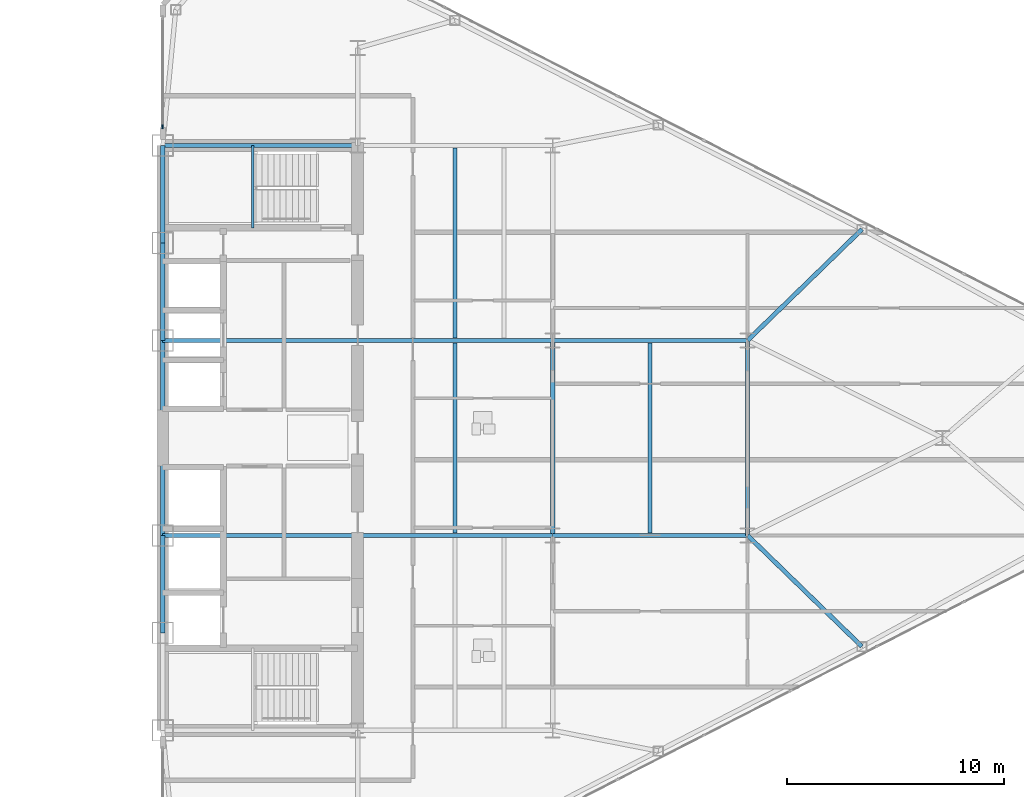
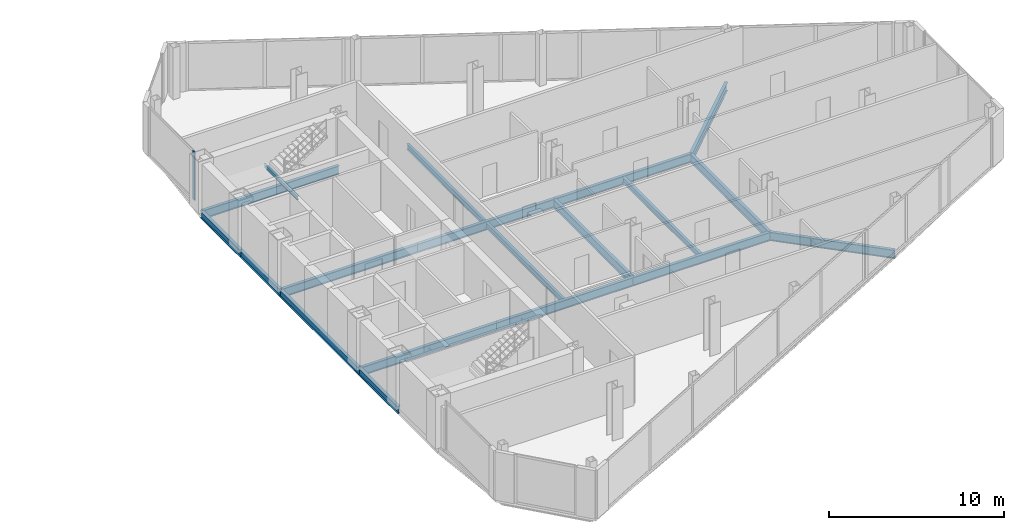
# One storey, part 10 of 24: 19 beams, 1 member, 1 element without a shape of its own.
"""IFC4 building model written with IfcOpenShell, lengths in metres."""

import ifcopenshell
import ifcopenshell.guid

model = None  # the IFC model being written
_history = None  # IfcOwnerHistory: only IFC2X3 demands one
_inside = {}  # id of a spatial element -> (the spatial element, [elements in it])
_under = {}  # id of a project, library or spatial element -> (it, [spatial elements below it])
_declared = {}  # id of a project -> (the project, [libraries it declares])
_typed = {}  # id of a type object -> (the type object, [elements of that type])
_made_of = {}  # id of a material, layer set ... -> (it, [elements and type objects made of it])


def new_model(schema):
    """Start an empty IFC model of exactly this schema.

    Asked for "IFC4X3", IfcOpenShell would pick the latest addendum, in which some entities
    have other attributes; the version numbers below select the first issue.
    IFC2X3 requires an IfcOwnerHistory on every rooted entity: one is made here for all.
    """
    global model, _history
    if schema == "IFC4X3":
        model = ifcopenshell.file(schema_version=(4, 3, 0, 0))
    else:
        model = ifcopenshell.file(schema=schema)
    _inside.clear()
    _under.clear()
    _declared.clear()
    _typed.clear()
    _made_of.clear()
    _history = None
    if model.schema == "IFC2X3":
        org = make("IfcOrganization", Name="unknown")
        user = make(
            "IfcPersonAndOrganization",
            ThePerson=make("IfcPerson", FamilyName="unknown"),
            TheOrganization=org,
        )
        app = make(
            "IfcApplication",
            ApplicationDeveloper=org,
            Version="unknown",
            ApplicationFullName="unknown",
            ApplicationIdentifier="unknown",
        )
        _history = make(
            "IfcOwnerHistory",
            OwningUser=user,
            OwningApplication=app,
            ChangeAction="ADDED",
            CreationDate=0,
        )
    return model


def make(cls, **values):
    """One entity of the class cls with the attributes given. An attribute that is None is left unset."""
    return model.create_entity(
        cls, **{name: value for name, value in values.items() if value is not None}
    )


def rooted(cls, **values):
    """An entity with a GlobalId (a new one), such as an element, a storey or a relation."""
    return make(cls, GlobalId=ifcopenshell.guid.new(), OwnerHistory=_history, **values)


def si_unit(unit_type, name, prefix=None):
    """IfcSIUnit, for example si_unit("LENGTHUNIT", "METRE", prefix="MILLI")."""
    return make("IfcSIUnit", UnitType=unit_type, Prefix=prefix, Name=name)


def assignment(units):
    """IfcUnitAssignment: the units of a project."""
    return None if units is None else make("IfcUnitAssignment", Units=units)


def point(xyz):
    """IfcCartesianPoint."""
    return None if xyz is None else make("IfcCartesianPoint", Coordinates=xyz)


def direction(xyz):
    """IfcDirection."""
    return None if xyz is None else make("IfcDirection", DirectionRatios=xyz)


def frame(location, z_axis=None, x_axis=None):
    """IfcAxis2Placement3D, a coordinate frame: its origin and axes. An axis left out is left unset."""
    return make(
        "IfcAxis2Placement3D",
        Location=point(location),
        Axis=direction(z_axis),
        RefDirection=direction(x_axis),
    )


def frame_2d(location, x_axis=None):
    """IfcAxis2Placement2D, a coordinate frame in the plane: its origin and x axis."""
    return make(
        "IfcAxis2Placement2D", Location=point(location), RefDirection=direction(x_axis)
    )


def origin():
    """The frame at (0, 0, 0) with its axes left unset."""
    return frame((0.0, 0.0, 0.0))


def origin_2d():
    """The frame at (0, 0) in the plane with its x axis left unset."""
    return frame_2d((0.0, 0.0))


def place(relative_to, where):
    """IfcLocalPlacement: puts the frame where relative to a parent placement (None: the world)."""
    return make(
        "IfcLocalPlacement", PlacementRelTo=relative_to, RelativePlacement=where
    )


def context(
    kind, dimensions, precision=None, world=None, true_north=None, identifier=None
):
    """IfcGeometricRepresentationContext, for example the 3D "Model" context."""
    return make(
        "IfcGeometricRepresentationContext",
        ContextIdentifier=identifier,
        ContextType=kind,
        CoordinateSpaceDimension=dimensions,
        Precision=precision,
        WorldCoordinateSystem=world,
        TrueNorth=true_north,
    )


def subcontext(parent, identifier, kind, view, scale=None):
    """IfcGeometricRepresentationSubContext, for example "Body" below "Model"."""
    return make(
        "IfcGeometricRepresentationSubContext",
        ContextIdentifier=identifier,
        ContextType=kind,
        ParentContext=parent,
        TargetScale=scale,
        TargetView=view,
    )


def project(units=None, contexts=None):
    """IfcProject with its units and contexts."""
    return rooted(
        "IfcProject",
        Name="project",
        RepresentationContexts=contexts,
        UnitsInContext=assignment(units),
    )


def spatial(cls, under=None, at=None, **own):
    """A site, building, storey or space (cls), placed at a placement, below another one or the project."""
    s = rooted(cls, ObjectPlacement=at, **own)
    if under is not None:
        _under.setdefault(under.id(), (under, []))[1].append(s)
    return s


def profile(cls, at=None, kind="AREA", **sizes):
    """A parametric profile (cls). Its sizes go by their IFC names, for example OverallWidth=200.0."""
    return make(cls, ProfileType=kind, Position=at, **sizes)


def rectangle(**sizes):
    """IfcRectangleProfileDef."""
    return profile("IfcRectangleProfileDef", **sizes)


def i_section(**sizes):
    """IfcIShapeProfileDef."""
    return profile("IfcIShapeProfileDef", **sizes)


def extrude(swept, where, along, depth):
    """IfcExtrudedAreaSolid: the profile swept, set in the frame where, extruded along a direction by depth."""
    return make(
        "IfcExtrudedAreaSolid",
        SweptArea=swept,
        Position=where,
        ExtrudedDirection=direction(along),
        Depth=depth,
    )


def shape(context_of_items, identifier, shape_type, items):
    """IfcShapeRepresentation: the items that make up one representation, for example the "Body"."""
    return make(
        "IfcShapeRepresentation",
        ContextOfItems=context_of_items,
        RepresentationIdentifier=identifier,
        RepresentationType=shape_type,
        Items=items,
    )


def source(mapping_origin, context_of_items, identifier, shape_type, items):
    """IfcRepresentationMap: a shape defined once, which mapped items show again and again."""
    return make(
        "IfcRepresentationMap",
        MappingOrigin=mapping_origin,
        MappedRepresentation=shape(context_of_items, identifier, shape_type, items),
    )


def transform(
    local_origin,
    x_axis=None,
    y_axis=None,
    z_axis=None,
    scale=None,
    scale2=None,
    scale3=None,
    uniform=True,
):
    """IfcCartesianTransformationOperator3D, or its non-uniform kind. x_axis, y_axis, z_axis: its Axis1, 2, 3."""
    if uniform:
        return make(
            "IfcCartesianTransformationOperator3D",
            Axis1=direction(x_axis),
            Axis2=direction(y_axis),
            LocalOrigin=point(local_origin),
            Scale=scale,
            Axis3=direction(z_axis),
        )
    return make(
        "IfcCartesianTransformationOperator3DnonUniform",
        Axis1=direction(x_axis),
        Axis2=direction(y_axis),
        LocalOrigin=point(local_origin),
        Scale=scale,
        Axis3=direction(z_axis),
        Scale2=scale2,
        Scale3=scale3,
    )


def mapped(mapping_source, mapping_target):
    """IfcMappedItem: shows the shape of a source again, moved by a transform."""
    return make(
        "IfcMappedItem", MappingSource=mapping_source, MappingTarget=mapping_target
    )


def material(Name=None, Category=None):
    """IfcMaterial."""
    return make("IfcMaterial", Name=Name, Category=Category)


def layer(
    of_material, thickness, ventilated=None, Name=None, Category=None, Priority=None
):
    """IfcMaterialLayer: one layer of a wall or slab, of a material (None: an air gap)."""
    return make(
        "IfcMaterialLayer",
        Material=of_material,
        LayerThickness=thickness,
        IsVentilated=ventilated,
        Name=Name,
        Category=Category,
        Priority=Priority,
    )


def layer_set(layers, Name=None):
    """IfcMaterialLayerSet."""
    return make("IfcMaterialLayerSet", MaterialLayers=layers, LayerSetName=Name)


def material_profile(
    of_material, cross_section, Name=None, Category=None, Priority=None
):
    """IfcMaterialProfile: a cross section and its material."""
    return make(
        "IfcMaterialProfile",
        Name=Name,
        Material=of_material,
        Profile=cross_section,
        Priority=Priority,
        Category=Category,
    )


def profile_set(profiles, Name=None, composite=None):
    """IfcMaterialProfileSet."""
    return make(
        "IfcMaterialProfileSet",
        Name=Name,
        MaterialProfiles=profiles,
        CompositeProfile=composite,
    )


def made_of(thing, what):
    """Note that an element or type object is made of a material, layer set ...; save() writes the relation."""
    if what is not None:
        _made_of.setdefault(what.id(), (what, []))[1].append(thing)
    return thing


def type_object(cls, material=None, **own):
    """A type object (cls), such as IfcWallType, which elements share."""
    return made_of(rooted(cls, **own), material)


def type_shapes(of_type, sources):
    """Give a type object the sources (RepresentationMaps) that its elements show as mapped items."""
    of_type.RepresentationMaps = sources


def element(
    cls,
    number,
    at=None,
    inside=None,
    cuts=None,
    type_object=None,
    material=None,
    context=None,
    identifier="Body",
    shape_type=None,
    held_by="IfcProductDefinitionShape",
    body=None,
    shapes=None,
    **own,
):
    """One element of the class cls, such as IfcWall. Its Tag is "e" and its number.

    at: its placement. inside: the storey or other place that contains it. cuts: it is an
    opening in that element (IfcRelVoidsElement). A single representation is given by context,
    identifier, shape_type and body (its items); several are given by shapes. held_by: the class
    of the entity that holds the representations. save() writes the other relations.
    """
    e = rooted(cls, Tag="e%d" % number, ObjectPlacement=at, **own)
    if body is not None:
        shapes = [shape(context, identifier, shape_type, body)]
    if shapes is not None:
        e.Representation = make(held_by, Representations=shapes)
    if inside is not None:
        _inside.setdefault(inside.id(), (inside, []))[1].append(e)
    if cuts is not None:
        rooted(
            "IfcRelVoidsElement", RelatingBuildingElement=cuts, RelatedOpeningElement=e
        )
    if type_object is not None:
        _typed.setdefault(type_object.id(), (type_object, []))[1].append(e)
    return made_of(e, material)


def aggregate(whole, parts):
    """IfcRelAggregates: a whole, such as a stair, and the parts it consists of."""
    return rooted("IfcRelAggregates", RelatingObject=whole, RelatedObjects=parts)


def save(model, path):
    """Write the relations noted so far, then the file.

    IfcRelAggregates (storeys below a building ...), IfcRelContainedInSpatialStructure (elements
    in a storey), IfcRelDefinesByType, IfcRelAssociatesMaterial and IfcRelDeclares: one each for
    every whole, place, type object, material and project.
    """
    for whole, parts in _under.values():
        aggregate(whole, parts)
    for where, things in _inside.values():
        rooted(
            "IfcRelContainedInSpatialStructure",
            RelatedElements=things,
            RelatingStructure=where,
        )
    for kind, things in _typed.values():
        rooted("IfcRelDefinesByType", RelatedObjects=things, RelatingType=kind)
    for what, things in _made_of.values():
        rooted("IfcRelAssociatesMaterial", RelatedObjects=things, RelatingMaterial=what)
    for by, libraries in _declared.values():
        rooted("IfcRelDeclares", RelatingContext=by, RelatedDefinitions=libraries)
    model.write(path)


model = new_model("IFC4")

# Units and contexts
model_context = context("Model", 3, precision=1e-05, world=origin(), true_north=direction((0.0, 1.0)))
body_context = subcontext(model_context, "Body", "Model", "MODEL_VIEW")
ifc_project = project(units=[si_unit("LENGTHUNIT", "METRE"), si_unit("AREAUNIT", "SQUARE_METRE"), si_unit("VOLUMEUNIT", "CUBIC_METRE"), si_unit("PLANEANGLEUNIT", "RADIAN"), si_unit("MASSUNIT", "GRAM", prefix="KILO")], contexts=[model_context])

# Site, building, storey
site_placement = place(None, origin())
site = spatial("IfcSite", under=ifc_project, at=site_placement, CompositionType="ELEMENT")
building_placement = place(site_placement, origin())
building = spatial("IfcBuilding", under=site, at=building_placement, Name="Seokmaru Belvedere", CompositionType="ELEMENT")
storey_placement = place(building_placement, frame((0.0, 0.0, 140.39990234375)))
storey = spatial("IfcBuildingStorey", under=building, at=storey_placement, Name="L37", CompositionType="ELEMENT", Elevation=140.39990234375)

# Beams
ifc_material_1 = material(Name="Steel SM355 (355 MPa)", Category="steel")
ifc_material_profile_1 = material_profile(ifc_material_1, i_section(OverallWidth=0.199951171875, OverallDepth=0.5, WebThickness=0.010009765625, FlangeThickness=0.01611328125, at=origin_2d()), Name="H-500x200x10x16")
ifc_profile_set_1 = profile_set([ifc_material_profile_1], Name="Steel SM355 (355 MPa)")
beam_type_1 = type_object("IfcBeamType", Name="Perimeter Spandrel Beam H-500", PredefinedType="SPANDREL", material=ifc_profile_set_1)
shared_shape_1 = source(origin(), body_context, "Body", "SweptSolid", [
    extrude(i_section(OverallWidth=0.199951171875, OverallDepth=0.5, WebThickness=0.010009765625, FlangeThickness=0.01611328125, at=origin_2d()), origin(), (0.0, 0.0, 1.0), 4.5),
])
for number, where, z_axis, x_axis, name in (
    (1, (27.5, -9.0, -0.469970703125), (0.0, 1.0, 0.0), (-1.0, 0.0, 0.0), "L37 E Portal Spine Spandrel 2"),
    (2, (27.5, 4.5, -0.469970703125), (0.0, 1.0, 0.0), (-1.0, 0.0, 0.0), "L37 E Portal Spine Spandrel 4"),
    (3, (27.5, 9.0, -0.469970703125), (0.0, 1.0, 0.0), (-1.0, 0.0, 0.0), "L37 E Portal Spine Spandrel 5"),
):
    element("IfcBeam", number, at=place(storey_placement, frame(where, z_axis=z_axis, x_axis=x_axis)), inside=storey, type_object=beam_type_1, Name=name, PredefinedType="SPANDREL", context=body_context, shape_type="MappedRepresentation", body=[
        mapped(shared_shape_1, transform((0.0, 0.0, 0.0), scale=1.0)),
    ])
shared_shape_2 = source(origin(), body_context, "Body", "SweptSolid", [
    extrude(i_section(OverallWidth=0.199951171875, OverallDepth=0.5, WebThickness=0.010009765625, FlangeThickness=0.01611328125, at=origin_2d()), origin(), (0.0, 0.0, 1.0), 9.0),
])
type_shapes(beam_type_1, [shared_shape_1, shared_shape_2])
beam_1_placement = place(storey_placement, frame((27.5, -4.5, -0.469970703125), z_axis=(0.0, 1.0, 0.0), x_axis=(-1.0, 0.0, 0.0)))
element("IfcBeam", 4, at=beam_1_placement, inside=storey, type_object=beam_type_1, Name="L37 E Portal Spine Spandrel 3", PredefinedType="SPANDREL", context=body_context, shape_type="MappedRepresentation", body=[
    mapped(shared_shape_2, transform((0.0, 0.0, 0.0), scale=1.0)),
])
ifc_material_profile_2 = material_profile(ifc_material_1, i_section(OverallWidth=0.199951171875, OverallDepth=0.60009765625, WebThickness=0.010986328125, FlangeThickness=0.01708984375, at=origin_2d()), Name="H-600x200x11x17")
ifc_profile_set_2 = profile_set([ifc_material_profile_2], Name="Steel SM355 (355 MPa)")
beam_type_2 = type_object("IfcBeamType", Name="Primary Floor Girder H-600", PredefinedType="BEAM", material=ifc_profile_set_2)
shared_shape_3 = source(origin(), body_context, "Body", "SweptSolid", [
    extrude(i_section(OverallWidth=0.199951171875, OverallDepth=0.60009765625, WebThickness=0.010986328125, FlangeThickness=0.01708984375, at=origin_2d()), origin(), (0.0, 0.0, 1.0), 9.0),
])
for number, where, z_axis, x_axis, name in (
    (5, (45.5, -4.5, -0.52001953125), (0.0, 1.0, 0.0), (-1.0, 0.0, 0.0), "L37 E Interior Grid Girder 2"),
    (6, (27.5, -4.5, -0.52001953125), (1.0, 0.0, 0.0), (0.0, 1.0, 0.0), "L37 E Core Tie Girder 2"),
    (7, (36.5, -4.5, -0.52001953125), (1.0, 0.0, 0.0), (0.0, 1.0, 0.0), "L37 E Wing Primary Girder 2"),
    (8, (27.5, 4.5, -0.52001953125), (1.0, 0.0, 0.0), (0.0, 1.0, 0.0), "L37 E Core Tie Girder 3"),
    (9, (36.5, 4.5, -0.52001953125), (1.0, 0.0, 0.0), (0.0, 1.0, 0.0), "L37 E Wing Primary Girder 3"),
    (10, (27.5, 13.5, -0.52001953125), (1.0, 0.0, 0.0), (0.0, 1.0, 0.0), "L37 E Core Tie Girder 4"),
    (11, (45.5, -4.5, -0.52001953125), (1.0, 0.0, 0.0), (0.0, 1.0, 0.0), "L37 E Outer Wing Girder 1"),
    (12, (45.5, 4.5, -0.52001953125), (1.0, 0.0, 0.0), (0.0, 1.0, 0.0), "L37 E Outer Wing Girder 2"),
    (13, (54.5, -4.5, -0.52001953125), (0.0, 1.0, 0.0), (-1.0, 0.0, 0.0), "L37 E Apex Frame Girder"),
):
    element("IfcBeam", number, at=place(storey_placement, frame(where, z_axis=z_axis, x_axis=x_axis)), inside=storey, type_object=beam_type_2, Name=name, PredefinedType="BEAM", context=body_context, shape_type="MappedRepresentation", body=[
        mapped(shared_shape_3, transform((0.0, 0.0, 0.0), scale=1.0)),
    ])
ifc_material_profile_3 = material_profile(ifc_material_1, i_section(OverallWidth=0.18505859375, OverallDepth=0.389892578125, WebThickness=0.008056640625, FlangeThickness=0.011962890625, at=origin_2d()), Name="H-390x185x8x12")
ifc_profile_set_3 = profile_set([ifc_material_profile_3], Name="Steel SM355 (355 MPa)")
beam_type_3 = type_object("IfcBeamType", Name="Secondary Floor Joist H-350", PredefinedType="JOIST", material=ifc_profile_set_3)
shared_shape_4 = source(origin(), body_context, "Body", "SweptSolid", [
    extrude(i_section(OverallWidth=0.18505859375, OverallDepth=0.389892578125, WebThickness=0.008056640625, FlangeThickness=0.011962890625, at=origin_2d()), origin(), (0.0, 0.0, 1.0), 8.7900390625),
])
type_shapes(beam_type_3, [shared_shape_4])
for number, where, z_axis, x_axis, name in (
    (14, (41.0, -4.39501953125, -0.414794921875), (0.0, 1.0, 0.0), (-1.0, 0.0, 0.0), "L37 E Secondary Floor Joist 2"),
    (15, (41.0, 4.60498046875, -0.414794921875), (0.0, 1.0, 0.0), (-1.0, 0.0, 0.0), "L37 E Secondary Floor Joist 3"),
    (16, (50.0, -4.39501953125, -0.414794921875), (0.0, 1.0, 0.0), (-1.0, 0.0, 0.0), "L37 E Outer Bay Secondary Joist"),
):
    element("IfcBeam", number, at=place(storey_placement, frame(where, z_axis=z_axis, x_axis=x_axis)), inside=storey, type_object=beam_type_3, Name=name, PredefinedType="JOIST", context=body_context, shape_type="MappedRepresentation", body=[
        mapped(shared_shape_4, transform((0.0, 0.0, 0.0), scale=1.0)),
    ])
shared_shape_5 = source(origin(), body_context, "Body", "SweptSolid", [
    extrude(i_section(OverallWidth=0.199951171875, OverallDepth=0.60009765625, WebThickness=0.010986328125, FlangeThickness=0.01708984375, at=origin_2d()), origin(), (0.0, 0.0, 1.0), 7.35986328125),
])
type_shapes(beam_type_2, [shared_shape_3, shared_shape_5])
for number, where, z_axis, x_axis, name in (
    (17, (59.778564453125, -9.62890625, -0.52001953125), (-0.717200745515, 0.696866623273, 0.0), (-0.696866623273, -0.717200745515, 0.0), "L37 E Flank Radial Floor Girder S-3"),
    (18, (59.778564453125, 9.62890625, -0.52001953125), (-0.717200745515, -0.696866623273, 0.0), (0.696866623273, -0.717200745515, 0.0), "L37 E Flank Radial Floor Girder N-3"),
):
    element("IfcBeam", number, at=place(storey_placement, frame(where, z_axis=z_axis, x_axis=x_axis)), inside=storey, type_object=beam_type_2, Name=name, PredefinedType="BEAM", context=body_context, shape_type="MappedRepresentation", body=[
        mapped(shared_shape_5, transform((0.0, 0.0, 0.0), scale=1.0)),
    ])

# Curtain wall, member
ifc_material_2 = material(Name="Bronze Triple Insulating Glass", Category="glass")
ifc_layer = layer(ifc_material_2, 0.195068359375)
ifc_layer_set = layer_set([ifc_layer], Name="Bronze Triple Insulating Glass")
curtain_wall_type = type_object("IfcCurtainWallType", Name="Sky-Lobby and Mid-Rise Curtain Wall System CW-4", PredefinedType="NOTDEFINED", material=ifc_layer_set)
curtain_wall_placement = place(storey_placement, origin())
curtain_wall = element("IfcCurtainWall", 19, at=curtain_wall_placement, inside=storey, type_object=curtain_wall_type, Name="L37 Curtain Wall ESP_2", PredefinedType="NOTDEFINED")
ifc_material_3 = material(Name="Anodised Bronze Aluminium", Category="aluminium")
ifc_material_profile_4 = material_profile(ifc_material_3, rectangle(XDim=0.070068359375, YDim=0.195068359375, at=origin_2d()), Name="CW-M-70x195")
ifc_profile_set_4 = profile_set([ifc_material_profile_4], Name="Anodised Bronze Aluminium")
member_type = type_object("IfcMemberType", Name="Bronze Unitised Mullion 70x195", PredefinedType="MULLION", material=ifc_profile_set_4)
shared_shape_6 = source(origin(), body_context, "Body", "SweptSolid", [
    extrude(rectangle(XDim=0.070068359375, YDim=0.195068359375, at=origin_2d()), origin(), (0.0, 0.0, 1.0), 3.380126953125),
])
type_shapes(member_type, [shared_shape_6])
member_placement = place(storey_placement, frame((27.5, 14.364990234375, 0.0), z_axis=(0.0, 0.0, 1.0), x_axis=(1.0, 0.0, 0.0)))
member = element("IfcMember", 20, at=member_placement, type_object=member_type, Name="CW:L37:ESP_2 Mullion 2", PredefinedType="MULLION", context=body_context, shape_type="MappedRepresentation", body=[
    mapped(shared_shape_6, transform((0.0, 0.0, 0.0), scale=1.0)),
])
aggregate(curtain_wall, [member])

# Beam
ifc_material_profile_5 = material_profile(ifc_material_1, i_section(OverallWidth=0.125, OverallDepth=0.25, WebThickness=0.006103515625, FlangeThickness=0.009033203125, at=origin_2d()), Name="H-250x125x6x9")
ifc_profile_set_5 = profile_set([ifc_material_profile_5], Name="Steel SM355 (355 MPa)")
beam_type_4 = type_object("IfcBeamType", Name="Stair Mid-Landing Support Beam H-250", PredefinedType="JOIST", material=ifc_profile_set_5)
shared_shape_7 = source(origin(), body_context, "Body", "SweptSolid", [
    extrude(i_section(OverallWidth=0.125, OverallDepth=0.25, WebThickness=0.006103515625, FlangeThickness=0.009033203125, at=origin_2d()), origin(), (0.0, 0.0, 1.0), 3.800048828125),
])
type_shapes(beam_type_4, [shared_shape_7])
beam_2_placement = place(storey_placement, frame((31.64990234375, 9.699951171875, 1.47509765625), z_axis=(0.0, 1.0, 0.0), x_axis=(-1.0, 0.0, 0.0)))
element("IfcBeam", 21, at=beam_2_placement, inside=storey, type_object=beam_type_4, Name="L37 Stair ST-E2 Mid-Landing Support Beam 1", PredefinedType="JOIST", context=body_context, shape_type="MappedRepresentation", body=[
    mapped(shared_shape_7, transform((0.0, 0.0, 0.0), scale=1.0)),
])

save(model, "model.ifc")
